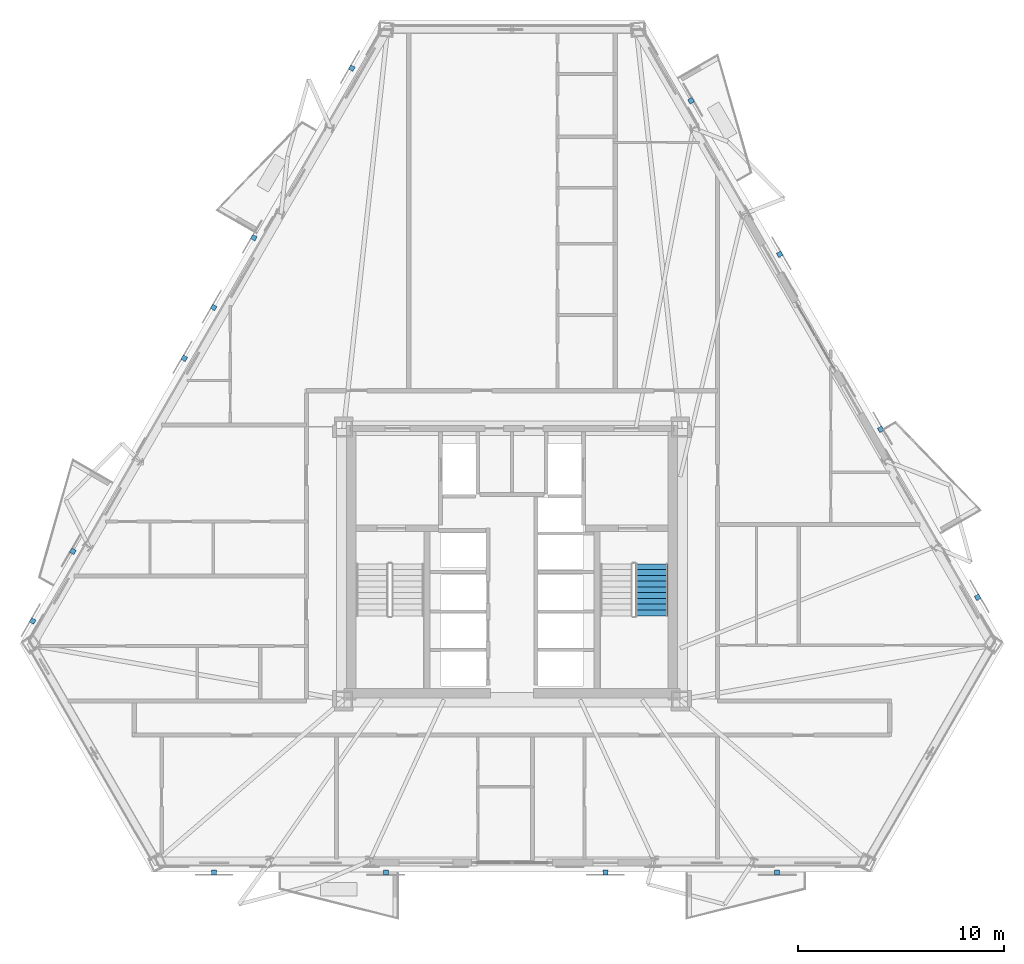
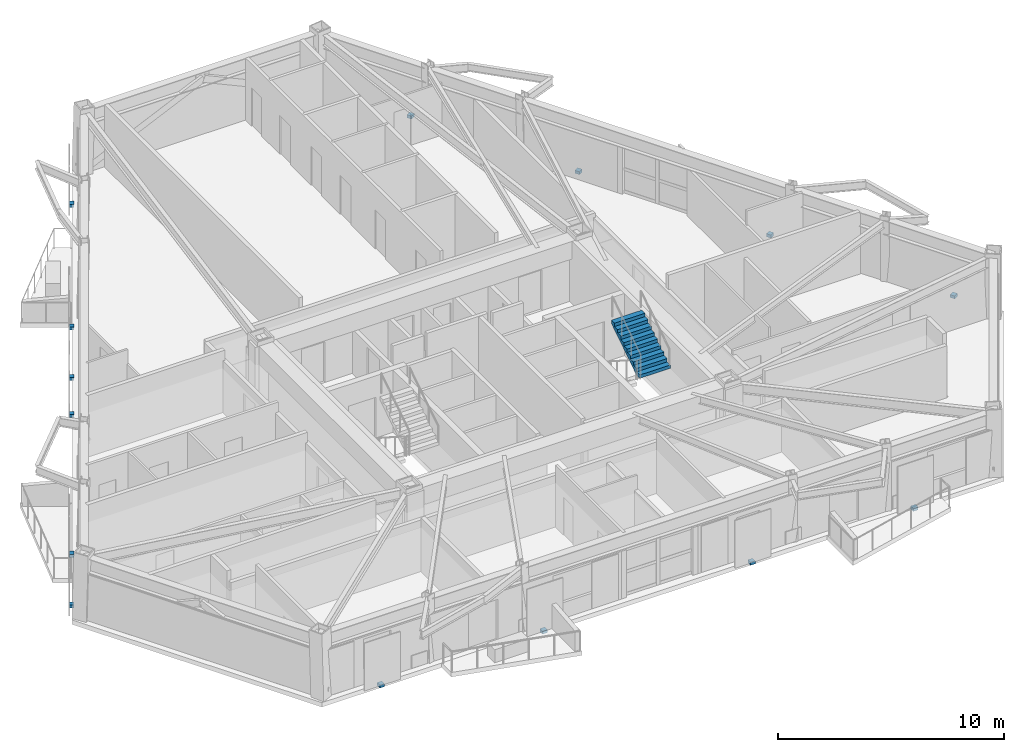
# One storey, part 11 of 15: 14 discrete accessories, 1 stair flight, 1 element without a shape of its own.
"""IFC4 building model written with IfcOpenShell, lengths in metres."""

from ifc_helpers import new_model, si_unit, direction, frame, origin, origin_2d, place, context, subcontext, project, spatial, polyline, rectangle, outline, extrude, material, type_object, element, aggregate, save


model = new_model("IFC4")

# Units and contexts
model_context = context("Model", 3, precision=1e-05, world=origin(), true_north=direction((0.0, 1.0)))
body_context = subcontext(model_context, "Body", "Model", "MODEL_VIEW")
ifc_project = project(units=[si_unit("LENGTHUNIT", "METRE"), si_unit("AREAUNIT", "SQUARE_METRE"), si_unit("VOLUMEUNIT", "CUBIC_METRE"), si_unit("PLANEANGLEUNIT", "RADIAN"), si_unit("MASSUNIT", "GRAM", prefix="KILO")], contexts=[model_context])

# Site, building, storey
site_placement = place(None, origin())
site = spatial("IfcSite", under=ifc_project, at=site_placement, CompositionType="ELEMENT")
building_placement = place(site_placement, origin())
building = spatial("IfcBuilding", under=site, at=building_placement, Name="Oramaril Tower", CompositionType="ELEMENT")
storey_placement = place(building_placement, frame((0.0, 0.0, 93.300048828125)))
storey = spatial("IfcBuildingStorey", under=building, at=storey_placement, Name="L24", CompositionType="ELEMENT", Elevation=93.300048828125)

# Stair, stair flight
ifc_material_1 = material(Name="Concrete C50/60", Category="concrete")
stair_type = type_object("IfcStairType", Name="STT-DG-3600", PredefinedType="HALF_TURN_STAIR", material=ifc_material_1)
stair_placement = place(storey_placement, origin())
stair = element("IfcStair", 1, at=stair_placement, inside=storey, type_object=stair_type, Name="L24 Protected PFP Exit Stair ST-2", PredefinedType="HALF_TURN_STAIR")
ifc_material_2 = material(Name="Concrete C50/60", Category="concrete")
stair_flight_type = type_object("IfcStairFlightType", Name="SFT-DG-3600", PredefinedType="STRAIGHT", material=ifc_material_2)
stair_flight_placement = place(storey_placement, frame((44.27001953125, 15.070068359375, 1.800048828125), z_axis=(0.0, 0.0, 1.0), x_axis=(0.0, 1.0, 0.0)))
stair_flight = element("IfcStairFlight", 2, at=stair_flight_placement, type_object=stair_flight_type, Name="ST-2 flight 2", NumberOfRisers=10, NumberOfTreads=9, PredefinedType="STRAIGHT", RiserHeight=0.18, TreadLength=0.28, context=body_context, shape_type="SweptSolid", body=[
    extrude(outline(polyline([(0.0, 0.0), (0.0, 0.179931640625), (0.280029296875, 0.179931640625), (0.280029296875, 0.360107421875), (0.56005859375, 0.360107421875), (0.56005859375, 0.5400390625), (0.840087890625, 0.5400390625), (0.840087890625, 0.719970703125), (1.1201171875, 0.719970703125), (1.1201171875, 0.89990234375), (1.39990234375, 0.89990234375), (1.39990234375, 1.080078125), (1.679931640625, 1.080078125), (1.679931640625, 1.260009765625), (1.9599609375, 1.260009765625), (1.9599609375, 1.43994140625), (2.239990234375, 1.43994140625), (2.239990234375, 1.6201171875), (2.52001953125, 1.6201171875), (2.52001953125, 1.800048828125), (2.52001953125, 1.44189453125), (0.277099609375, 0.0), (0.0, 0.0)])), frame((0.0, 0.780029296875, 0.0), z_axis=(0.0, -1.0, 0.0), x_axis=(1.0, 0.0, 0.0)), (0.0, 0.0, 1.0), 1.56005859375),
])
aggregate(stair, [stair_flight])

# Discrete accessories
for number, where, z_axis, x_axis, name in (
    (3, (23.06689453125, 2.6298828125, -0.14013671875), (0.0, 0.0, 1.0), (1.0, 0.0, 0.0), "L24 Solar Screen Slab Bracket"),
    (4, (31.386962890625, 2.6298828125, -0.14013671875), (0.0, 0.0, 1.0), (1.0, 0.0, 0.0), "L24 Solar Screen Slab Bracket"),
    (5, (42.025390625, 2.6298828125, -0.14013671875), (0.0, 0.0, 1.0), (1.0, 0.0, 0.0), "L24 Solar Screen Slab Bracket"),
    (6, (50.345458984375, 2.6298828125, -0.14013671875), (0.0, 0.0, 1.0), (1.0, 0.0, 0.0), "L24 Solar Screen Slab Bracket"),
    (7, (60.059814453125, 15.965087890625, -0.14013671875), (0.0, 0.0, 1.0), (-0.4999984885, 0.866026276448, 0.0), "L24 Solar Screen Slab Bracket"),
    (8, (55.36181640625, 24.102294921875, -0.14013671875), (0.0, 0.0, 1.0), (-0.4999984885, 0.866026276448, 0.0), "L24 Solar Screen Slab Bracket"),
    (9, (50.465087890625, 32.583740234375, -0.14013671875), (0.0, 0.0, 1.0), (-0.5, 0.866025403784, 0.0), "L24 Solar Screen Slab Bracket"),
    (10, (46.172119140625, 40.019287109375, -0.14013671875), (0.0, 0.0, 1.0), (-0.5, 0.866025403784, 0.0), "L24 Solar Screen Slab Bracket"),
    (11, (16.226806640625, 18.19384765625, -0.14013671875), (0.0, 0.0, 1.0), (-0.5, -0.866025403784, 0.0), "L24 Solar Screen Slab Bracket"),
    (12, (14.27685546875, 14.81640625, -0.14013671875), (0.0, 0.0, 1.0), (-0.5, -0.866025403784, 0.0), "L24 Solar Screen Slab Bracket"),
    (13, (29.740478515625, 41.60009765625, -0.14013671875), (0.0, 0.0, 1.0), (-0.5, -0.866025403784, 0.0), "L24 Solar Screen Slab Bracket"),
    (14, (24.996826171875, 33.384033203125, -0.14013671875), (0.0, 0.0, 1.0), (-0.5, -0.866025403784, 0.0), "L24 Solar Screen Slab Bracket"),
    (15, (23.046875, 30.006591796875, -0.14013671875), (0.0, 0.0, 1.0), (-0.5, -0.866025403784, 0.0), "L24 Solar Screen Slab Bracket"),
    (16, (21.624755859375, 27.543212890625, -0.14013671875), (0.0, 0.0, 1.0), (-0.5, -0.866025403784, 0.0), "L24 Solar Screen Slab Bracket"),
):
    element("IfcDiscreteAccessory", number, at=place(storey_placement, frame(where, z_axis=z_axis, x_axis=x_axis)), inside=storey, Name=name, PredefinedType="BRACKET", context=body_context, shape_type="SweptSolid", body=[
        extrude(rectangle(XDim=0.239990234375, YDim=0.239990234375, at=origin_2d()), origin(), (0.0, 0.0, 1.0), 0.159912109375),
    ])

save(model, "model.ifc")
